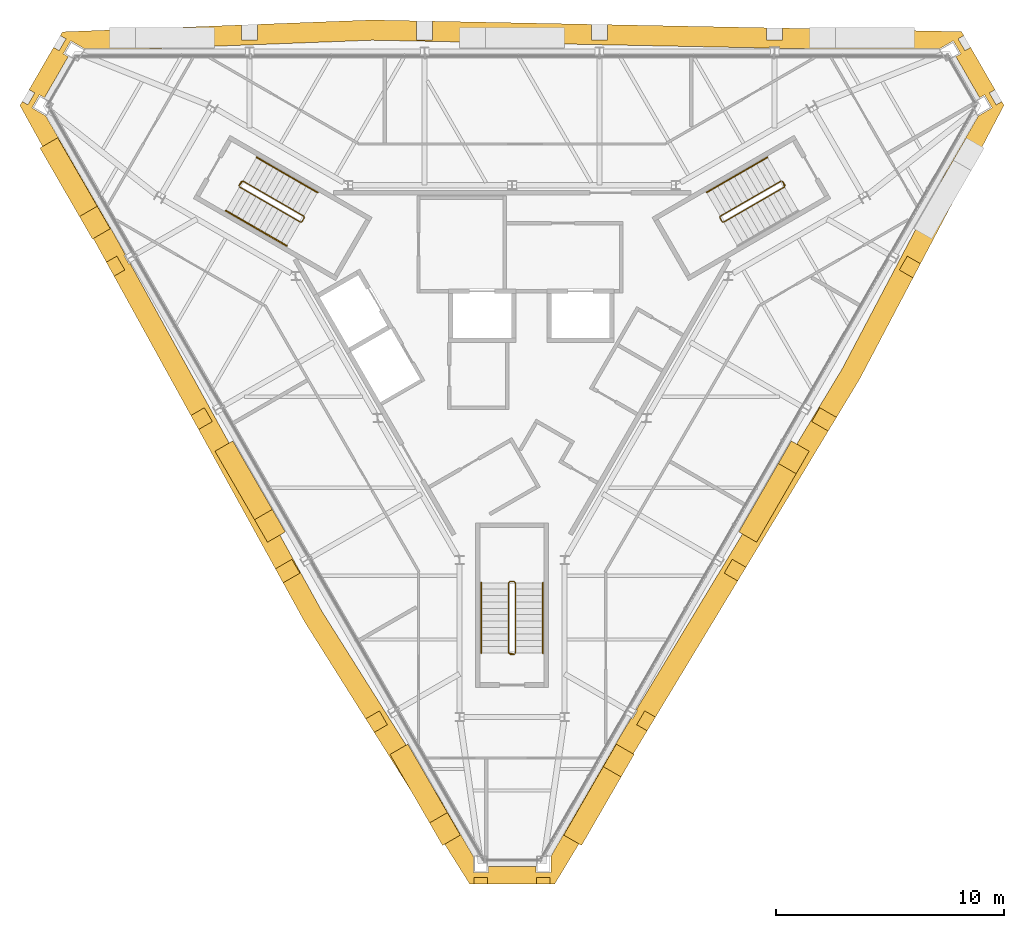
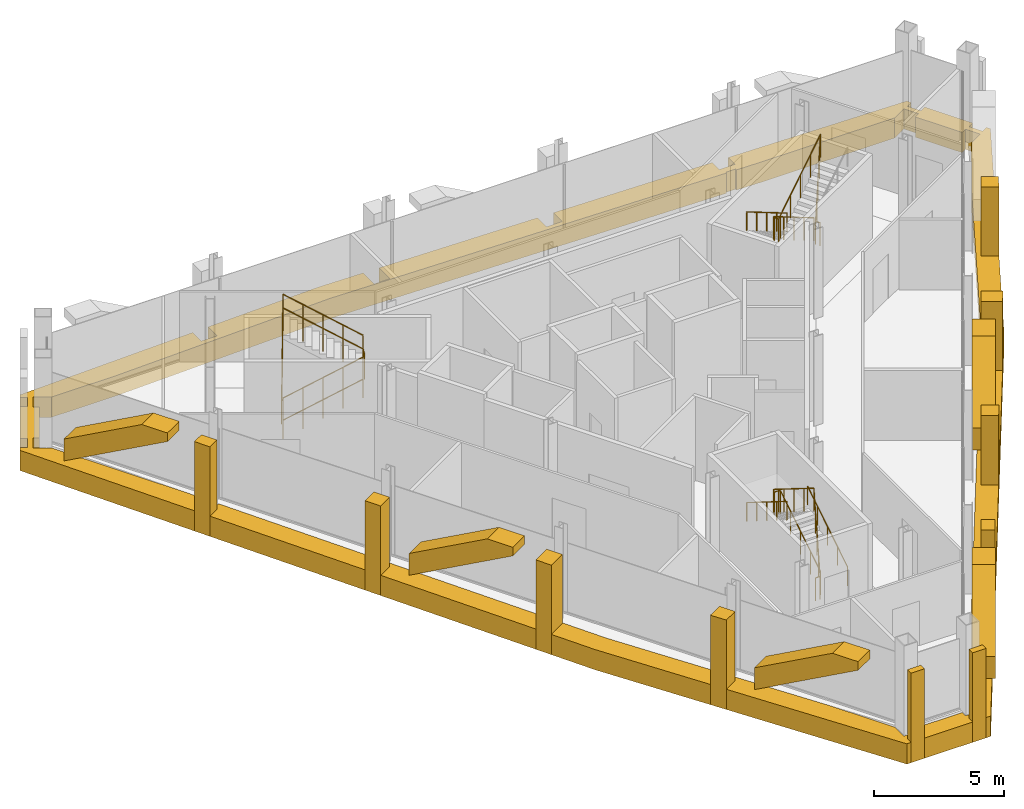
# One storey, part 12 of 13: 16 coverings, 8 railings.
"""IFC4 building model written with IfcOpenShell, lengths in metres."""

from ifc_helpers import new_model, si_unit, direction, frame, origin, origin_2d, place, context, subcontext, project, spatial, polyline, circle, outline, extrude, material, layer, layer_set, type_object, element, save


model = new_model("IFC4")

# Units and contexts
model_context = context("Model", 3, precision=1e-05, world=origin(), true_north=direction((0.0, 1.0)))
body_context = subcontext(model_context, "Body", "Model", "MODEL_VIEW")
ifc_project = project(units=[si_unit("LENGTHUNIT", "METRE"), si_unit("AREAUNIT", "SQUARE_METRE"), si_unit("VOLUMEUNIT", "CUBIC_METRE"), si_unit("PLANEANGLEUNIT", "RADIAN"), si_unit("MASSUNIT", "GRAM", prefix="KILO")], contexts=[model_context])

# Site, building, storey
site_placement = place(None, origin())
site = spatial("IfcSite", under=ifc_project, at=site_placement, CompositionType="ELEMENT")
building_placement = place(site_placement, origin())
building = spatial("IfcBuilding", under=site, at=building_placement, Name="Verrane Prism Tower", CompositionType="ELEMENT")
storey_placement = place(building_placement, frame((0.0, 0.0, 316.800048828125)))
storey = spatial("IfcBuildingStorey", under=building, at=storey_placement, Name="L80", CompositionType="ELEMENT", Elevation=316.800048828125)

# Railings
ifc_material_1 = material(Name="Steel A36 rail and posts, no infill", Category="steel")
railing_type_1 = type_object("IfcRailingType", Name="Stair guard 1100 steel rail and posts", PredefinedType="GUARDRAIL", material=ifc_material_1)
railing_1_placement = place(storey_placement, frame((11.78955078125, 6.97998046875, 0.175048828125)))
element("IfcRailing", 1, at=railing_1_placement, inside=storey, type_object=railing_type_1, Name="Stair 1 guard", PredefinedType="GUARDRAIL", context=body_context, shape_type="SweptSolid", body=[
    extrude(circle(Radius=0.02392578125, at=origin_2d()), frame((0.0, 0.0, 1.076171875), z_axis=(-0.734390191396, -0.42403051051, 0.529970917068), x_axis=(0.500026652407, -0.866010015463, 0.0)), (0.0, 0.0, 1.0), 3.6318359375),
    extrude(circle(Radius=0.02392578125, at=origin_2d()), frame((-2.667236328125, -1.5400390625, 3.0009765625), z_axis=(-0.258736085224, -0.965948051503, 0.0), x_axis=(0.965948051503, -0.258736085224, 0.0)), (0.0, 0.0, 1.0), 0.07080078125),
    extrude(circle(Radius=0.02392578125, at=origin_2d()), frame((-2.685546875, -1.6083984375, 3.0009765625), z_axis=(0.499687197852, -0.866205924883, 0.0), x_axis=(0.866205924883, 0.499687197852, 0.0)), (0.0, 0.0, 1.0), 0.199951171875),
    extrude(circle(Radius=0.02392578125, at=origin_2d()), frame((-2.585693359375, -1.781494140625, 3.0009765625), z_axis=(0.362047912139, -0.096977119323, 0.927101260728), x_axis=(0.258736085224, 0.965948051503, 0.0)), (0.0, 0.0, 1.0), 0.188720703125),
    extrude(circle(Radius=0.02392578125, at=origin_2d()), frame((-2.517333984375, -1.7998046875, 3.17578125), z_axis=(0.734364028329, 0.424015404183, 0.530019255228), x_axis=(-0.500026652407, 0.866010015463, 0.0)), (0.0, 0.0, 1.0), 3.632080078125),
    extrude(circle(Radius=0.02392578125, at=origin_2d()), frame((0.14990234375, -0.259765625, 5.10107421875), z_axis=(-0.019379572802, 0.057384423658, -0.998164044674), x_axis=(-0.947430582667, -0.3199613899, 0.0)), (0.0, 0.0, 1.0), 4.207763671875),
    extrude(circle(Radius=0.02392578125, at=origin_2d()), frame((0.068359375, -0.018310546875, 0.90087890625), z_axis=(0.499158860599, -0.866510491504, 0.0), x_axis=(0.866510491504, 0.499158860599, 0.0)), (0.0, 0.0, 1.0), 0.199951171875),
    extrude(circle(Radius=0.02099609375, at=origin_2d()), origin(), (0.0, 0.0, 1.0), 1.052001953125),
    extrude(circle(Radius=0.02099609375, at=origin_2d()), frame((-0.666748046875, -0.385009765625, 0.481201171875)), (0.0, 0.0, 1.0), 1.052001953125),
    extrude(circle(Radius=0.02099609375, at=origin_2d()), frame((-1.33349609375, -0.77001953125, 0.96240234375)), (0.0, 0.0, 1.0), 1.052001953125),
    extrude(circle(Radius=0.02099609375, at=origin_2d()), frame((-2.00048828125, -1.155029296875, 1.443603515625)), (0.0, 0.0, 1.0), 1.052001953125),
    extrude(circle(Radius=0.02099609375, at=origin_2d()), frame((-2.667236328125, -1.5400390625, 1.9248046875)), (0.0, 0.0, 1.0), 1.052001953125),
    extrude(circle(Radius=0.02099609375, at=origin_2d()), frame((-2.685546875, -1.6083984375, 1.9248046875)), (0.0, 0.0, 1.0), 1.052001953125),
    extrude(circle(Radius=0.02099609375, at=origin_2d()), frame((-2.585693359375, -1.781494140625, 1.9248046875)), (0.0, 0.0, 1.0), 1.052001953125),
    extrude(circle(Radius=0.02099609375, at=origin_2d()), frame((-2.517333984375, -1.7998046875, 2.099853515625)), (0.0, 0.0, 1.0), 1.052001953125),
    extrude(circle(Radius=0.02099609375, at=origin_2d()), frame((-1.8505859375, -1.414794921875, 2.5810546875)), (0.0, 0.0, 1.0), 1.052001953125),
    extrude(circle(Radius=0.02099609375, at=origin_2d()), frame((-1.18359375, -1.02978515625, 3.0625)), (0.0, 0.0, 1.0), 1.052001953125),
    extrude(circle(Radius=0.02099609375, at=origin_2d()), frame((-0.516845703125, -0.644775390625, 3.543701171875)), (0.0, 0.0, 1.0), 1.052001953125),
    extrude(circle(Radius=0.02099609375, at=origin_2d()), frame((0.14990234375, -0.259765625, 4.02490234375)), (0.0, 0.0, 1.0), 1.052001953125),
    extrude(circle(Radius=0.02099609375, at=origin_2d()), frame((0.12939453125, -0.199462890625, 2.974853515625)), (0.0, 0.0, 1.0), 1.052001953125),
    extrude(circle(Radius=0.02099609375, at=origin_2d()), frame((0.109130859375, -0.13916015625, 1.9248046875)), (0.0, 0.0, 1.0), 1.052001953125),
    extrude(circle(Radius=0.02099609375, at=origin_2d()), frame((0.0888671875, -0.07861328125, 0.875)), (0.0, 0.0, 1.0), 1.052001953125),
    extrude(circle(Radius=0.02099609375, at=origin_2d()), frame((0.068359375, -0.018310546875, -0.175048828125)), (0.0, 0.0, 1.0), 1.052001953125),
    extrude(circle(Radius=0.02099609375, at=origin_2d()), frame((0.168212890625, -0.191650390625, -0.175048828125)), (0.0, 0.0, 1.0), 1.052001953125),
])
railing_2_placement = place(storey_placement, frame((-11.939453125, 6.72021484375, 0.175048828125)))
element("IfcRailing", 2, at=railing_2_placement, inside=storey, type_object=railing_type_1, Name="Stair 2 guard", PredefinedType="GUARDRAIL", context=body_context, shape_type="SweptSolid", body=[
    extrude(circle(Radius=0.02392578125, at=origin_2d()), frame((0.0, 0.0, 1.076171875), z_axis=(0.734390191396, -0.42403051051, 0.529970917068), x_axis=(0.500026652407, 0.866010015463, 0.0)), (0.0, 0.0, 1.0), 3.6318359375),
    extrude(circle(Radius=0.02392578125, at=origin_2d()), frame((2.667236328125, -1.5400390625, 3.0009765625), z_axis=(0.965948051503, 0.258736085224, 0.0), x_axis=(-0.258736085224, 0.965948051503, 0.0)), (0.0, 0.0, 1.0), 0.07080078125),
    extrude(circle(Radius=0.02392578125, at=origin_2d()), frame((2.735595703125, -1.521728515625, 3.0009765625), z_axis=(0.499687197852, 0.866205924883, 0.0), x_axis=(-0.866205924883, 0.499687197852, 0.0)), (0.0, 0.0, 1.0), 0.199951171875),
    extrude(circle(Radius=0.02392578125, at=origin_2d()), frame((2.83544921875, -1.3486328125, 3.0009765625), z_axis=(-0.096977119323, 0.362047912139, 0.927101260728), x_axis=(-0.965948051503, -0.258736085224, 0.0)), (0.0, 0.0, 1.0), 0.188720703125),
    extrude(circle(Radius=0.02392578125, at=origin_2d()), frame((2.817138671875, -1.2802734375, 3.17578125), z_axis=(-0.734364028329, 0.424015404183, 0.530019255228), x_axis=(-0.500026652407, -0.866010015463, 0.0)), (0.0, 0.0, 1.0), 3.632080078125),
    extrude(circle(Radius=0.02392578125, at=origin_2d()), frame((0.14990234375, 0.259765625, 5.10107421875), z_axis=(-0.039977536342, -0.045547701058, -0.998161912475), x_axis=(0.751567565678, -0.659656118156, 0.0)), (0.0, 0.0, 1.0), 4.207763671875),
    extrude(circle(Radius=0.02392578125, at=origin_2d()), frame((-0.018310546875, 0.068115234375, 0.90087890625), z_axis=(0.499158860599, 0.866510491504, 0.0), x_axis=(-0.866510491504, 0.499158860599, 0.0)), (0.0, 0.0, 1.0), 0.199951171875),
    extrude(circle(Radius=0.02099609375, at=origin_2d()), origin(), (0.0, 0.0, 1.0), 1.052001953125),
    extrude(circle(Radius=0.02099609375, at=origin_2d()), frame((0.666748046875, -0.385009765625, 0.481201171875)), (0.0, 0.0, 1.0), 1.052001953125),
    extrude(circle(Radius=0.02099609375, at=origin_2d()), frame((1.33349609375, -0.77001953125, 0.96240234375)), (0.0, 0.0, 1.0), 1.052001953125),
    extrude(circle(Radius=0.02099609375, at=origin_2d()), frame((2.00048828125, -1.155029296875, 1.443603515625)), (0.0, 0.0, 1.0), 1.052001953125),
    extrude(circle(Radius=0.02099609375, at=origin_2d()), frame((2.667236328125, -1.5400390625, 1.9248046875)), (0.0, 0.0, 1.0), 1.052001953125),
    extrude(circle(Radius=0.02099609375, at=origin_2d()), frame((2.735595703125, -1.521728515625, 1.9248046875)), (0.0, 0.0, 1.0), 1.052001953125),
    extrude(circle(Radius=0.02099609375, at=origin_2d()), frame((2.83544921875, -1.3486328125, 1.9248046875)), (0.0, 0.0, 1.0), 1.052001953125),
    extrude(circle(Radius=0.02099609375, at=origin_2d()), frame((2.817138671875, -1.2802734375, 2.099853515625)), (0.0, 0.0, 1.0), 1.052001953125),
    extrude(circle(Radius=0.02099609375, at=origin_2d()), frame((2.150390625, -0.895263671875, 2.5810546875)), (0.0, 0.0, 1.0), 1.052001953125),
    extrude(circle(Radius=0.02099609375, at=origin_2d()), frame((1.4833984375, -0.51025390625, 3.0625)), (0.0, 0.0, 1.0), 1.052001953125),
    extrude(circle(Radius=0.02099609375, at=origin_2d()), frame((0.816650390625, -0.125244140625, 3.543701171875)), (0.0, 0.0, 1.0), 1.052001953125),
    extrude(circle(Radius=0.02099609375, at=origin_2d()), frame((0.14990234375, 0.259765625, 4.02490234375)), (0.0, 0.0, 1.0), 1.052001953125),
    extrude(circle(Radius=0.02099609375, at=origin_2d()), frame((0.10791015625, 0.2119140625, 2.974853515625)), (0.0, 0.0, 1.0), 1.052001953125),
    extrude(circle(Radius=0.02099609375, at=origin_2d()), frame((0.06591796875, 0.1640625, 1.9248046875)), (0.0, 0.0, 1.0), 1.052001953125),
    extrude(circle(Radius=0.02099609375, at=origin_2d()), frame((0.023681640625, 0.115966796875, 0.875)), (0.0, 0.0, 1.0), 1.052001953125),
    extrude(circle(Radius=0.02099609375, at=origin_2d()), frame((-0.018310546875, 0.068115234375, -0.175048828125)), (0.0, 0.0, 1.0), 1.052001953125),
    extrude(circle(Radius=0.02099609375, at=origin_2d()), frame((0.08154296875, 0.241455078125, -0.175048828125)), (0.0, 0.0, 1.0), 1.052001953125),
])
railing_3_placement = place(storey_placement, frame((0.14990234375, -13.699951171875, 0.175048828125)))
element("IfcRailing", 3, at=railing_3_placement, inside=storey, type_object=railing_type_1, Name="Stair 3 guard", PredefinedType="GUARDRAIL", context=body_context, shape_type="SweptSolid", body=[
    extrude(circle(Radius=0.02392578125, at=origin_2d()), frame((0.0, 0.0, 1.076171875), z_axis=(0.0, 0.848009633417, 0.529980812513), x_axis=(-1.0, 0.0, 0.0)), (0.0, 0.0, 1.0), 3.6318359375),
    extrude(circle(Radius=0.02392578125, at=origin_2d()), frame((0.0, 3.079833984375, 3.0009765625), z_axis=(-0.705375805398, 0.708833529934, 0.0), x_axis=(-0.708833529934, -0.705375805398, 0.0)), (0.0, 0.0, 1.0), 0.070556640625),
    extrude(circle(Radius=0.02392578125, at=origin_2d()), frame((-0.0498046875, 3.1298828125, 3.0009765625), z_axis=(-1.0, 0.0, 0.0), x_axis=(0.0, -1.0, 0.0)), (0.0, 0.0, 1.0), 0.2001953125),
    extrude(circle(Radius=0.02392578125, at=origin_2d()), frame((-0.25, 3.1298828125, 3.0009765625), z_axis=(-0.263862480399, -0.265155923931, 0.927399011991), x_axis=(0.708833529934, -0.705375805398, 0.0)), (0.0, 0.0, 1.0), 0.188720703125),
    extrude(circle(Radius=0.02392578125, at=origin_2d()), frame((-0.2998046875, 3.079833984375, 3.17578125), z_axis=(0.0, -0.847979421464, 0.530029150871), x_axis=(1.0, 0.0, 0.0)), (0.0, 0.0, 1.0), 3.632080078125),
    extrude(circle(Radius=0.02392578125, at=origin_2d()), frame((-0.2998046875, 0.0, 5.10107421875), z_axis=(0.059415124802, -0.011894629477, -0.99816249215), x_axis=(0.196300278283, 0.98054382908, 0.0)), (0.0, 0.0, 1.0), 4.207763671875),
    extrude(circle(Radius=0.02392578125, at=origin_2d()), frame((-0.0498046875, -0.050048828125, 0.90087890625), z_axis=(-1.0, 0.0, 0.0), x_axis=(0.0, -1.0, 0.0)), (0.0, 0.0, 1.0), 0.2001953125),
    extrude(circle(Radius=0.02099609375, at=origin_2d()), origin(), (0.0, 0.0, 1.0), 1.052001953125),
    extrude(circle(Radius=0.02099609375, at=origin_2d()), frame((0.0, 0.77001953125, 0.481201171875)), (0.0, 0.0, 1.0), 1.052001953125),
    extrude(circle(Radius=0.02099609375, at=origin_2d()), frame((0.0, 1.5400390625, 0.96240234375)), (0.0, 0.0, 1.0), 1.052001953125),
    extrude(circle(Radius=0.02099609375, at=origin_2d()), frame((0.0, 2.309814453125, 1.443603515625)), (0.0, 0.0, 1.0), 1.052001953125),
    extrude(circle(Radius=0.02099609375, at=origin_2d()), frame((0.0, 3.079833984375, 1.9248046875)), (0.0, 0.0, 1.0), 1.052001953125),
    extrude(circle(Radius=0.02099609375, at=origin_2d()), frame((-0.0498046875, 3.1298828125, 1.9248046875)), (0.0, 0.0, 1.0), 1.052001953125),
    extrude(circle(Radius=0.02099609375, at=origin_2d()), frame((-0.25, 3.1298828125, 1.9248046875)), (0.0, 0.0, 1.0), 1.052001953125),
    extrude(circle(Radius=0.02099609375, at=origin_2d()), frame((-0.2998046875, 3.079833984375, 2.099853515625)), (0.0, 0.0, 1.0), 1.052001953125),
    extrude(circle(Radius=0.02099609375, at=origin_2d()), frame((-0.2998046875, 2.309814453125, 2.5810546875)), (0.0, 0.0, 1.0), 1.052001953125),
    extrude(circle(Radius=0.02099609375, at=origin_2d()), frame((-0.2998046875, 1.5400390625, 3.0625)), (0.0, 0.0, 1.0), 1.052001953125),
    extrude(circle(Radius=0.02099609375, at=origin_2d()), frame((-0.2998046875, 0.77001953125, 3.543701171875)), (0.0, 0.0, 1.0), 1.052001953125),
    extrude(circle(Radius=0.02099609375, at=origin_2d()), frame((-0.2998046875, 0.0, 4.02490234375)), (0.0, 0.0, 1.0), 1.052001953125),
    extrude(circle(Radius=0.02099609375, at=origin_2d()), frame((-0.2373046875, -0.012451171875, 2.974853515625)), (0.0, 0.0, 1.0), 1.052001953125),
    extrude(circle(Radius=0.02099609375, at=origin_2d()), frame((-0.1748046875, -0.02490234375, 1.9248046875)), (0.0, 0.0, 1.0), 1.052001953125),
    extrude(circle(Radius=0.02099609375, at=origin_2d()), frame((-0.1123046875, -0.03759765625, 0.875)), (0.0, 0.0, 1.0), 1.052001953125),
    extrude(circle(Radius=0.02099609375, at=origin_2d()), frame((-0.0498046875, -0.050048828125, -0.175048828125)), (0.0, 0.0, 1.0), 1.052001953125),
    extrude(circle(Radius=0.02099609375, at=origin_2d()), frame((-0.25, -0.050048828125, -0.175048828125)), (0.0, 0.0, 1.0), 1.052001953125),
])
ifc_material_2 = material(Name="Steel A36 tube", Category="steel")
railing_type_2 = type_object("IfcRailingType", Name="Stair handrail 900 steel tube", PredefinedType="HANDRAIL", material=ifc_material_2)
railing_4_placement = place(storey_placement, frame((11.189453125, 8.01904296875, 0.175048828125)))
element("IfcRailing", 4, at=railing_4_placement, inside=storey, type_object=railing_type_2, Name="Stair 1 handrail", PredefinedType="HANDRAIL", context=body_context, shape_type="SweptSolid", body=[
    extrude(circle(Radius=0.02392578125, at=origin_2d()), frame((0.0, 0.0, 0.8759765625), z_axis=(-0.734411123532, -0.423975373557, 0.529986022693), x_axis=(0.499967199496, -0.866044340336, 0.0)), (0.0, 0.0, 1.0), 3.6318359375),
    extrude(circle(Radius=0.02099609375, at=origin_2d()), origin(), (0.0, 0.0, 1.0), 0.851806640625),
    extrude(circle(Radius=0.02099609375, at=origin_2d()), frame((-0.666748046875, -0.385009765625, 0.481201171875)), (0.0, 0.0, 1.0), 0.851806640625),
    extrude(circle(Radius=0.02099609375, at=origin_2d()), frame((-1.33349609375, -0.77001953125, 0.96240234375)), (0.0, 0.0, 1.0), 0.851806640625),
    extrude(circle(Radius=0.02099609375, at=origin_2d()), frame((-2.00048828125, -1.15478515625, 1.443603515625)), (0.0, 0.0, 1.0), 0.851806640625),
    extrude(circle(Radius=0.02099609375, at=origin_2d()), frame((-2.667236328125, -1.539794921875, 1.9248046875)), (0.0, 0.0, 1.0), 0.851806640625),
])
railing_5_placement = place(storey_placement, frame((-12.53955078125, 5.680908203125, 0.175048828125)))
element("IfcRailing", 5, at=railing_5_placement, inside=storey, type_object=railing_type_2, Name="Stair 2 handrail", PredefinedType="HANDRAIL", context=body_context, shape_type="SweptSolid", body=[
    extrude(circle(Radius=0.02392578125, at=origin_2d()), frame((0.0, 0.0, 0.8759765625), z_axis=(0.734390191396, -0.42403051051, 0.529970917068), x_axis=(0.500026652407, 0.866010015463, 0.0)), (0.0, 0.0, 1.0), 3.6318359375),
    extrude(circle(Radius=0.02099609375, at=origin_2d()), origin(), (0.0, 0.0, 1.0), 0.851806640625),
    extrude(circle(Radius=0.02099609375, at=origin_2d()), frame((0.666748046875, -0.385009765625, 0.481201171875)), (0.0, 0.0, 1.0), 0.851806640625),
    extrude(circle(Radius=0.02099609375, at=origin_2d()), frame((1.33349609375, -0.77001953125, 0.96240234375)), (0.0, 0.0, 1.0), 0.851806640625),
    extrude(circle(Radius=0.02099609375, at=origin_2d()), frame((2.00048828125, -1.155029296875, 1.443603515625)), (0.0, 0.0, 1.0), 0.851806640625),
    extrude(circle(Radius=0.02099609375, at=origin_2d()), frame((2.667236328125, -1.5400390625, 1.9248046875)), (0.0, 0.0, 1.0), 0.851806640625),
])
railing_6_placement = place(storey_placement, frame((-8.522216796875, 6.479248046875, 2.27490234375)))
element("IfcRailing", 6, at=railing_6_placement, inside=storey, type_object=railing_type_2, Name="Stair 2 handrail", PredefinedType="HANDRAIL", context=body_context, shape_type="SweptSolid", body=[
    extrude(circle(Radius=0.02392578125, at=origin_2d()), frame((0.0, 0.0, 0.8759765625), z_axis=(-0.734384958227, 0.423960268333, 0.530034361155), x_axis=(-0.499967199496, -0.866044340336, 0.0)), (0.0, 0.0, 1.0), 3.6318359375),
    extrude(circle(Radius=0.02099609375, at=origin_2d()), origin(), (0.0, 0.0, 1.0), 0.851806640625),
    extrude(circle(Radius=0.02099609375, at=origin_2d()), frame((-0.666748046875, 0.385009765625, 0.481201171875)), (0.0, 0.0, 1.0), 0.851806640625),
    extrude(circle(Radius=0.02099609375, at=origin_2d()), frame((-1.33349609375, 0.77001953125, 0.96240234375)), (0.0, 0.0, 1.0), 0.851806640625),
    extrude(circle(Radius=0.02099609375, at=origin_2d()), frame((-2.00048828125, 1.15478515625, 1.44384765625)), (0.0, 0.0, 1.0), 0.851806640625),
    extrude(circle(Radius=0.02099609375, at=origin_2d()), frame((-2.667236328125, 1.539794921875, 1.925048828125)), (0.0, 0.0, 1.0), 0.851806640625),
])
railing_7_placement = place(storey_placement, frame((1.35009765625, -13.699951171875, 0.175048828125)))
element("IfcRailing", 7, at=railing_7_placement, inside=storey, type_object=railing_type_2, Name="Stair 3 handrail", PredefinedType="HANDRAIL", context=body_context, shape_type="SweptSolid", body=[
    extrude(circle(Radius=0.02392578125, at=origin_2d()), frame((0.0, 0.0, 0.8759765625), z_axis=(0.0, 0.848009633417, 0.529980812513), x_axis=(-1.0, 0.0, 0.0)), (0.0, 0.0, 1.0), 3.6318359375),
    extrude(circle(Radius=0.02099609375, at=origin_2d()), origin(), (0.0, 0.0, 1.0), 0.851806640625),
    extrude(circle(Radius=0.02099609375, at=origin_2d()), frame((0.0, 0.77001953125, 0.481201171875)), (0.0, 0.0, 1.0), 0.851806640625),
    extrude(circle(Radius=0.02099609375, at=origin_2d()), frame((0.0, 1.5400390625, 0.96240234375)), (0.0, 0.0, 1.0), 0.851806640625),
    extrude(circle(Radius=0.02099609375, at=origin_2d()), frame((0.0, 2.309814453125, 1.443603515625)), (0.0, 0.0, 1.0), 0.851806640625),
    extrude(circle(Radius=0.02099609375, at=origin_2d()), frame((0.0, 3.079833984375, 1.9248046875)), (0.0, 0.0, 1.0), 0.851806640625),
])
railing_8_placement = place(storey_placement, frame((-1.35009765625, -10.6201171875, 2.27490234375)))
element("IfcRailing", 8, at=railing_8_placement, inside=storey, type_object=railing_type_2, Name="Stair 3 handrail", PredefinedType="HANDRAIL", context=body_context, shape_type="SweptSolid", body=[
    extrude(circle(Radius=0.02392578125, at=origin_2d()), frame((0.0, 0.0, 0.8759765625), z_axis=(0.0, -0.847979421464, 0.530029150871), x_axis=(1.0, 0.0, 0.0)), (0.0, 0.0, 1.0), 3.632080078125),
    extrude(circle(Radius=0.02099609375, at=origin_2d()), origin(), (0.0, 0.0, 1.0), 0.851806640625),
    extrude(circle(Radius=0.02099609375, at=origin_2d()), frame((0.0, -0.77001953125, 0.481201171875)), (0.0, 0.0, 1.0), 0.851806640625),
    extrude(circle(Radius=0.02099609375, at=origin_2d()), frame((0.0, -1.5400390625, 0.96240234375)), (0.0, 0.0, 1.0), 0.851806640625),
    extrude(circle(Radius=0.02099609375, at=origin_2d()), frame((0.0, -2.309814453125, 1.44384765625)), (0.0, 0.0, 1.0), 0.851806640625),
    extrude(circle(Radius=0.02099609375, at=origin_2d()), frame((0.0, -3.079833984375, 1.925048828125)), (0.0, 0.0, 1.0), 0.851806640625),
])

# Coverings
ifc_material_3 = material(Name="Warm limestone cladding", Category="masonry")
ifc_layer_1 = layer(ifc_material_3, 0.89990234375)
ifc_layer_set_1 = layer_set([ifc_layer_1], Name="Stone brace fin 900")
covering_type_1 = type_object("IfcCoveringType", Name="Stone brace fin 900", PredefinedType="CLADDING", material=ifc_layer_set_1)
for number, where, z_axis, x_axis, name in (
    (9, (-20.294189453125, 8.650390625, 0.326904296875), (0.0, 0.0, 1.0), (0.5000194552, -0.866014171028, 0.0), "Stone brace fin SW1 L80"),
    (10, (-12.625, -4.632568359375, 0.326904296875), (0.0, 0.0, 1.0), (0.49997966108, -0.866037146147, 0.0), "Stone brace fin SW3 L80"),
    (11, (-4.956298828125, -17.91552734375, 0.326904296875), (0.0, 0.0, 1.0), (0.5000194552, -0.866014171028, 0.0), "Stone brace fin SW5 L80"),
    (12, (2.655517578125, -21.900390625, 0.326904296875), (0.0, 0.0, 1.0), (0.5000194552, 0.866014171028, 0.0), "Stone brace fin SE1 L80"),
    (13, (10.324462890625, -8.617431640625, 0.326904296875), (0.0, 0.0, 1.0), (0.49997966108, 0.866037146147, 0.0), "Stone brace fin SE3 L80"),
):
    element("IfcCovering", number, at=place(storey_placement, frame(where, z_axis=z_axis, x_axis=x_axis)), inside=storey, type_object=covering_type_1, Name=name, PredefinedType="CLADDING", context=body_context, shape_type="SweptSolid", body=[
        extrude(outline(polyline([(4.601318359375, 2.923095703125), (3.463623046875, 2.923095703125), (0.0, 1.026123046875), (0.0, 0.0), (4.601318359375, 2.52001953125), (4.601318359375, 2.923095703125)])), frame((0.0, 0.449951171875, 0.0), z_axis=(0.0, -1.0, 0.0), x_axis=(1.0, 0.0, 0.0)), (0.0, 0.0, 1.0), 0.89990234375),
    ])
ifc_material_4 = material(Name="Warm limestone cladding", Category="masonry")
covering_type_2 = type_object("IfcCoveringType", Name="Stone corner pier 600", PredefinedType="CLADDING", material=ifc_material_4)
covering_1_placement = place(storey_placement, frame((0.0, 0.0, -0.949951171875)))
element("IfcCovering", 14, at=covering_1_placement, inside=storey, type_object=covering_type_2, Name="Stone pier MC-S.a L80", PredefinedType="CLADDING", context=body_context, shape_type="SweptSolid", body=[
    extrude(outline(polyline([(-1.069091796875, -23.52880859375), (-1.6689453125, -23.52880859375), (-1.6689453125, -23.813720703125), (-1.069091796875, -23.813720703125), (-1.069091796875, -23.52880859375)])), origin(), (0.0, 0.0, 1.0), 4.199951171875),
])
covering_2_placement = place(storey_placement, frame((0.0, 0.0, -0.949951171875)))
element("IfcCovering", 15, at=covering_2_placement, inside=storey, type_object=covering_type_2, Name="Stone pier MC-S.b L80", PredefinedType="CLADDING", context=body_context, shape_type="SweptSolid", body=[
    extrude(outline(polyline([(1.6689453125, -23.52880859375), (1.069091796875, -23.52880859375), (1.069091796875, -23.813720703125), (1.6689453125, -23.813720703125), (1.6689453125, -23.52880859375)])), origin(), (0.0, 0.0, 1.0), 4.199951171875),
])
ifc_material_5 = material(Name="Warm limestone cladding", Category="masonry")
covering_type_3 = type_object("IfcCoveringType", Name="Stone pier 700", PredefinedType="CLADDING", material=ifc_material_5)
covering_3_placement = place(storey_placement, frame((0.0, 0.0, -0.949951171875)))
element("IfcCovering", 16, at=covering_3_placement, inside=storey, type_object=covering_type_3, Name="Stone pier PC-SW1 L80", PredefinedType="CLADDING", context=body_context, shape_type="SweptSolid", body=[
    extrude(outline(polyline([(-16.96484375, 3.084228515625), (-17.094482421875, 3.30859375), (-17.31494140625, 3.6904296875), (-17.773681640625, 3.425537109375), (-17.435546875, 2.8125), (-16.96484375, 3.084228515625)])), origin(), (0.0, 0.0, 1.0), 4.199951171875),
])
covering_4_placement = place(storey_placement, frame((0.0, 0.0, -0.949951171875)))
element("IfcCovering", 17, at=covering_4_placement, inside=storey, type_object=covering_type_3, Name="Stone pier PC-SW2 L80", PredefinedType="CLADDING", context=body_context, shape_type="SweptSolid", body=[
    extrude(outline(polyline([(-13.13037109375, -3.557373046875), (-13.279296875, -3.299560546875), (-13.48046875, -2.951171875), (-14.0703125, -3.291748046875), (-13.732421875, -3.90478515625), (-13.13037109375, -3.557373046875)])), origin(), (0.0, 0.0, 1.0), 4.199951171875),
])
covering_5_placement = place(storey_placement, frame((0.0, 0.0, -0.949951171875)))
element("IfcCovering", 18, at=covering_5_placement, inside=storey, type_object=covering_type_3, Name="Stone pier PC-SW3 L80", PredefinedType="CLADDING", context=body_context, shape_type="SweptSolid", body=[
    extrude(outline(polyline([(-9.2958984375, -10.198974609375), (-9.470947265625, -9.895751953125), (-9.64599609375, -9.5927734375), (-10.366943359375, -10.009033203125), (-10.029052734375, -10.6220703125), (-9.2958984375, -10.198974609375)])), origin(), (0.0, 0.0, 1.0), 4.199951171875),
])
covering_6_placement = place(storey_placement, frame((0.0, 0.0, -0.949951171875)))
element("IfcCovering", 19, at=covering_6_placement, inside=storey, type_object=covering_type_3, Name="Stone pier PC-SW4 L80", PredefinedType="CLADDING", context=body_context, shape_type="SweptSolid", body=[
    extrude(outline(polyline([(-5.46142578125, -16.84033203125), (-5.8115234375, -16.234130859375), (-6.41162109375, -16.580810546875), (-6.038330078125, -17.173583984375), (-5.46142578125, -16.84033203125)])), origin(), (0.0, 0.0, 1.0), 4.199951171875),
])
covering_7_placement = place(storey_placement, frame((0.0, 0.0, -0.949951171875)))
element("IfcCovering", 20, at=covering_7_placement, inside=storey, type_object=covering_type_3, Name="Stone pier PC-SE1 L80", PredefinedType="CLADDING", context=body_context, shape_type="SweptSolid", body=[
    extrude(outline(polyline([(5.8115234375, -16.234130859375), (5.710205078125, -16.409912109375), (5.46142578125, -16.84033203125), (5.920166015625, -17.105224609375), (6.281982421875, -16.505859375), (5.8115234375, -16.234130859375)])), origin(), (0.0, 0.0, 1.0), 4.199951171875),
])
covering_8_placement = place(storey_placement, frame((0.0, 0.0, -0.949951171875)))
element("IfcCovering", 21, at=covering_8_placement, inside=storey, type_object=covering_type_3, Name="Stone pier PC-SE2 L80", PredefinedType="CLADDING", context=body_context, shape_type="SweptSolid", body=[
    extrude(outline(polyline([(9.64599609375, -9.5927734375), (9.2958984375, -10.198974609375), (9.8857421875, -10.539306640625), (10.247802734375, -9.940185546875), (9.64599609375, -9.5927734375)])), origin(), (0.0, 0.0, 1.0), 4.199951171875),
])
covering_9_placement = place(storey_placement, frame((0.0, 0.0, -0.949951171875)))
element("IfcCovering", 22, at=covering_9_placement, inside=storey, type_object=covering_type_3, Name="Stone pier PC-SE3 L80", PredefinedType="CLADDING", context=body_context, shape_type="SweptSolid", body=[
    extrude(outline(polyline([(13.48046875, -2.951171875), (13.13037109375, -3.557373046875), (13.8515625, -3.9736328125), (14.21337890625, -3.374267578125), (13.48046875, -2.951171875)])), origin(), (0.0, 0.0, 1.0), 4.199951171875),
])
covering_10_placement = place(storey_placement, frame((0.0, 0.0, -0.949951171875)))
element("IfcCovering", 23, at=covering_10_placement, inside=storey, type_object=covering_type_3, Name="Stone pier PC-SE4 L80", PredefinedType="CLADDING", context=body_context, shape_type="SweptSolid", body=[
    extrude(outline(polyline([(17.31494140625, 3.6904296875), (16.96484375, 3.084228515625), (17.565185546875, 2.73779296875), (17.891845703125, 3.357421875), (17.31494140625, 3.6904296875)])), origin(), (0.0, 0.0, 1.0), 4.199951171875),
])
ifc_material_6 = material(Name="Warm limestone cladding", Category="masonry")
ifc_layer_2 = layer(ifc_material_6, 0.449951171875)
ifc_layer_set_2 = layer_set([ifc_layer_2], Name="Stone spandrel band 450")
covering_type_4 = type_object("IfcCoveringType", Name="Stone spandrel band 450", PredefinedType="CLADDING", material=ifc_layer_set_2)
covering_11_placement = place(storey_placement, frame((0.0, 0.0, -0.949951171875)))
element("IfcCovering", 24, at=covering_11_placement, inside=storey, type_object=covering_type_4, Name="Stone spandrel band L80", PredefinedType="CLADDING", context=body_context, shape_type="SweptSolid", body=[
    extrude(outline(polyline([(1.868408203125, -23.813720703125), (5.920166015625, -17.105224609375), (5.46142578125, -16.84033203125), (5.8115234375, -16.234130859375), (6.281982421875, -16.505859375), (9.8857421875, -10.539306640625), (9.2958984375, -10.198974609375), (9.64599609375, -9.5927734375), (10.247802734375, -9.940185546875), (13.8515625, -3.9736328125), (13.13037109375, -3.557373046875), (13.48046875, -2.951171875), (14.21337890625, -3.374267578125), (15.2265625, -1.697265625), (17.565185546875, 2.73779296875), (16.96484375, 3.084228515625), (17.31494140625, 3.6904296875), (17.891845703125, 3.357421875), (21.552001953125, 10.298095703125), (21.457763671875, 10.46142578125), (21.2109375, 10.319091796875), (20.910888671875, 10.838623046875), (21.15771484375, 10.98095703125), (20.088623046875, 12.83251953125), (19.842041015625, 12.690185546875), (19.5419921875, 13.209716796875), (19.788818359375, 13.352294921875), (19.68896484375, 13.52490234375), (11.853515625, 13.6796875), (11.853515625, 13.14990234375), (11.1533203125, 13.14990234375), (11.1533203125, 13.693359375), (4.1845703125, 13.8310546875), (4.1845703125, 13.14990234375), (3.484619140625, 13.14990234375), (3.484619140625, 13.844970703125), (-3.484619140625, 13.982666015625), (-3.484619140625, 13.14990234375), (-4.1845703125, 13.14990234375), (-4.1845703125, 13.996337890625), (-6.143310546875, 14.03515625), (-11.1533203125, 13.843017578125), (-11.1533203125, 13.14990234375), (-11.853515625, 13.14990234375), (-11.853515625, 13.816162109375), (-19.6943359375, 13.515380859375), (-19.788818359375, 13.352294921875), (-19.5419921875, 13.209716796875), (-19.842041015625, 12.690185546875), (-20.088623046875, 12.83251953125), (-21.15771484375, 10.98095703125), (-20.910888671875, 10.838623046875), (-21.2109375, 10.319091796875), (-21.457763671875, 10.46142578125), (-21.557373046875, 10.288818359375), (-17.773681640625, 3.425537109375), (-17.31494140625, 3.6904296875), (-16.96484375, 3.084228515625), (-17.435546875, 2.8125), (-14.0703125, -3.291748046875), (-13.48046875, -2.951171875), (-13.13037109375, -3.557373046875), (-13.732421875, -3.90478515625), (-10.366943359375, -10.009033203125), (-9.64599609375, -9.5927734375), (-9.2958984375, -10.198974609375), (-10.029052734375, -10.6220703125), (-9.0830078125, -12.337890625), (-6.41162109375, -16.580810546875), (-5.8115234375, -16.234130859375), (-5.46142578125, -16.84033203125), (-6.038330078125, -17.173583984375), (-1.857421875, -23.813720703125), (-1.6689453125, -23.813720703125), (-1.6689453125, -23.52880859375), (-1.069091796875, -23.52880859375), (-1.069091796875, -23.813720703125), (1.069091796875, -23.813720703125), (1.069091796875, -23.52880859375), (1.6689453125, -23.52880859375), (1.6689453125, -23.813720703125), (1.868408203125, -23.813720703125)]), holes=[polyline([(4.693115234375, -17.425537109375), (1.699951171875, -22.609619140625), (1.699951171875, -23.31005859375), (1.0400390625, -23.31005859375), (1.0400390625, -23.055908203125), (-1.0400390625, -23.055908203125), (-1.0400390625, -23.31005859375), (-1.699951171875, -23.31005859375), (-1.699951171875, -22.609619140625), (-3.134765625, -20.124267578125), (-8.320556640625, -11.88818359375), (-16.7353515625, 3.375), (-16.787109375, 3.34521484375), (-17.00390625, 3.720703125), (-16.944580078125, 3.754638671875), (-17.43701171875, 4.64794921875), (-20.43310546875, 9.837158203125), (-21.0341796875, 10.18408203125), (-20.7041015625, 10.755859375), (-20.485595703125, 10.629638671875), (-19.44677734375, 12.4287109375), (-19.6640625, 12.55419921875), (-19.333984375, 13.125732421875), (-18.72998046875, 12.777099609375), (-15.861083984375, 12.777099609375), (-6.13525390625, 13.14990234375), (11.283203125, 12.805908203125), (11.283203125, 12.8642578125), (11.716796875, 12.8642578125), (11.716796875, 12.79736328125), (12.744384765625, 12.777099609375), (18.72998046875, 12.777099609375), (19.333984375, 13.125732421875), (19.6640625, 12.55419921875), (19.44677734375, 12.4287109375), (20.485595703125, 10.629638671875), (20.7041015625, 10.755859375), (21.0341796875, 10.18408203125), (20.43310546875, 9.837158203125), (18.99560546875, 7.34765625), (14.455810546875, -1.26171875), (5.444580078125, -16.180908203125), (5.493896484375, -16.20947265625), (5.277099609375, -16.584716796875), (5.220458984375, -16.552001953125), (4.693115234375, -17.425537109375)])]), origin(), (0.0, 0.0, 1.0), 0.949951171875),
])

save(model, "model.ifc")
